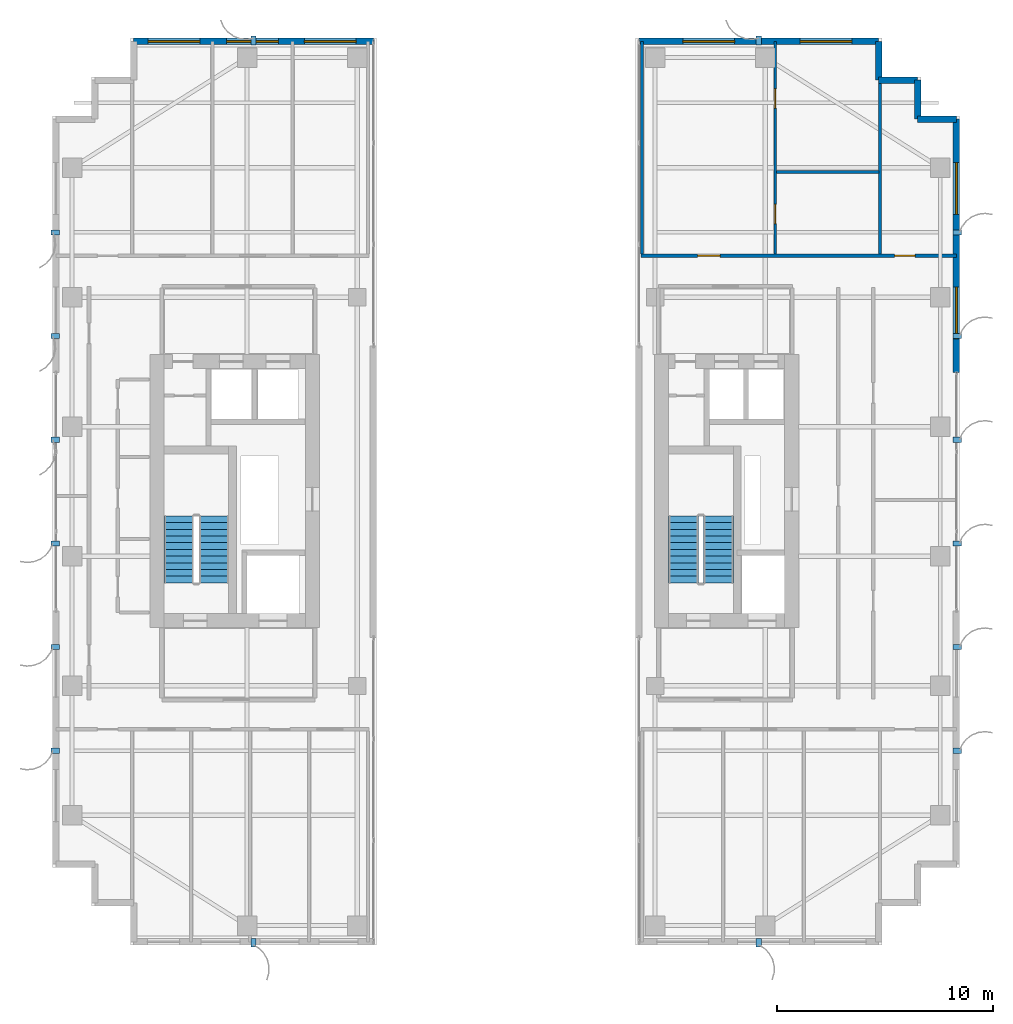
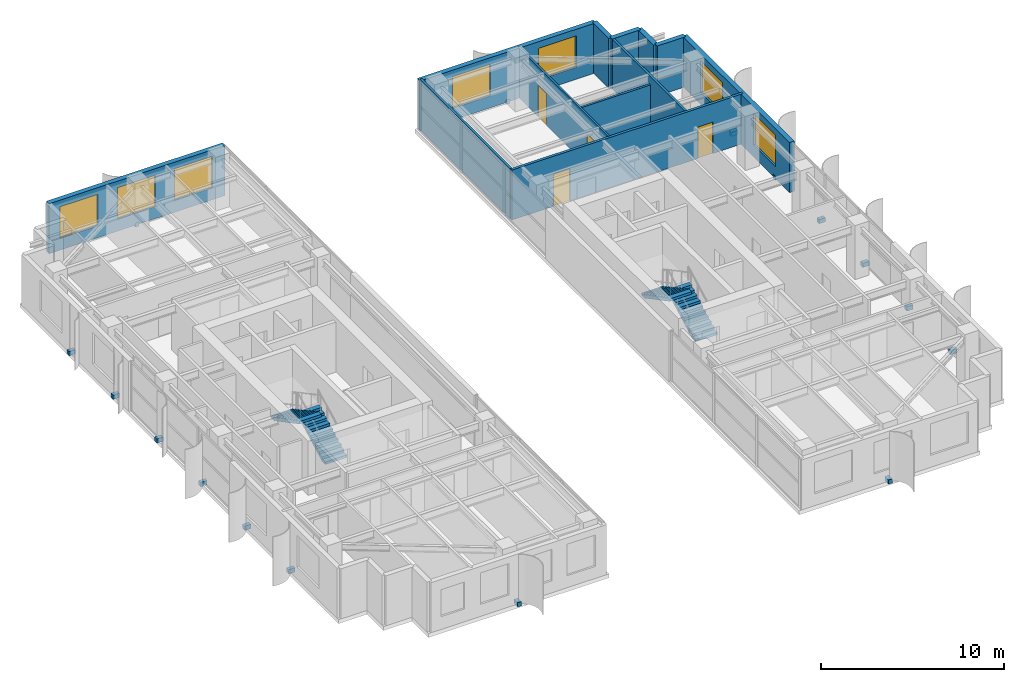
# One storey, part 19 of 22: 16 discrete accessories, 12 walls, 7 windows, 4 doors, 4 stair flights, 11 openings, 2 elements without a shape of their own.
"""IFC4 building model written with IfcOpenShell, lengths in metres."""

from ifc_helpers import new_model, si_unit, direction, frame, frame_2d, origin, origin_2d, place, context, subcontext, project, spatial, polyline, rectangle, outline, extrude, source, transform, mapped, material, layer, layer_set, type_object, element, fill, aggregate, save


model = new_model("IFC4")

# Units and contexts
model_context = context("Model", 3, precision=1e-05, world=origin(), true_north=direction((0.0, 1.0)))
body_context = subcontext(model_context, "Body", "Model", "MODEL_VIEW")
ifc_project = project(units=[si_unit("LENGTHUNIT", "METRE"), si_unit("AREAUNIT", "SQUARE_METRE"), si_unit("VOLUMEUNIT", "CUBIC_METRE"), si_unit("PLANEANGLEUNIT", "RADIAN"), si_unit("MASSUNIT", "GRAM", prefix="KILO")], contexts=[model_context])

# Site, building, storey
site_placement = place(None, origin())
site = spatial("IfcSite", under=ifc_project, at=site_placement, CompositionType="ELEMENT")
building_placement = place(site_placement, origin())
building = spatial("IfcBuilding", under=site, at=building_placement, Name="Khoralis Quay Care Tower", CompositionType="ELEMENT")
storey_placement = place(building_placement, frame((0.0, 0.0, 191.699951171875)))
storey = spatial("IfcBuildingStorey", under=building, at=storey_placement, Name="L50", CompositionType="ELEMENT", Elevation=191.699951171875)

# Wall, openings, doors
ifc_material_1 = material(Name="Gypsum plasterboard on acoustic metal stud")
ifc_layer_1 = layer(ifc_material_1, 0.1650390625)
ifc_layer_set_1 = layer_set([ifc_layer_1], Name="Gypsum plasterboard on acoustic metal stud")
wall_type_1 = type_object("IfcWallType", Name="WL-CORR-165", PredefinedType="PARTITIONING", material=ifc_layer_set_1)
wall_1_placement = place(storey_placement, frame((30.25, 31.919921875, 0.0), z_axis=(0.0, 0.0, 1.0), x_axis=(1.0, 0.0, 0.0)))
wall_1 = element("IfcWall", 1, at=wall_1_placement, inside=storey, type_object=wall_type_1, Name="L50 East Wing North Corridor Wall", PredefinedType="PARTITIONING", context=body_context, shape_type="SweptSolid", body=[
    extrude(rectangle(XDim=14.60498046875, YDim=0.1650390625, at=frame_2d((7.302490234375, 0.0))), origin(), (0.0, 0.0, 1.0), 3.340087890625),
])
opening_1_placement = place(wall_1_placement, frame((2.610595703125, 0.0, 0.0)))
opening_1 = element("IfcOpeningElement", 2, at=opening_1_placement, cuts=wall_1, Name="Opening UD1", PredefinedType="OPENING", context=body_context, shape_type="SweptSolid", body=[
    extrude(rectangle(XDim=1.050048828125, YDim=2.14990234375, at=frame_2d((0.52490234375, 1.074951171875))), frame((0.0, 0.092529296875, 0.0), z_axis=(0.0, -1.0, 0.0), x_axis=(1.0, 0.0, 0.0)), (0.0, 0.0, 1.0), 0.18505859375),
])
opening_2_placement = place(wall_1_placement, frame((11.735107421875, 0.0, 0.0)))
opening_2 = element("IfcOpeningElement", 3, at=opening_2_placement, cuts=wall_1, Name="Opening ID1", PredefinedType="OPENING", context=body_context, shape_type="SweptSolid", body=[
    extrude(rectangle(XDim=0.949951171875, YDim=2.10009765625, at=frame_2d((0.47509765625, 1.050048828125))), frame((0.0, 0.092529296875, 0.0), z_axis=(0.0, -1.0, 0.0), x_axis=(1.0, 0.0, 0.0)), (0.0, 0.0, 1.0), 0.18505859375),
])
ifc_material_2 = material(Name="Acoustic hardwood timber", Category="wood")
door_type_1 = type_object("IfcDoorType", Name="DR-ROOM-950X2100", OperationType="NOTDEFINED", PredefinedType="DOOR", material=ifc_material_2)
shared_shape_1 = source(origin(), body_context, "Body", "SweptSolid", [
    extrude(rectangle(XDim=0.949951171875, YDim=2.10009765625, at=frame_2d((0.47509765625, 1.050048828125))), frame((0.0, 0.02490234375, 0.0), z_axis=(0.0, -1.0, 0.0), x_axis=(1.0, 0.0, 0.0)), (0.0, 0.0, 1.0), 0.050048828125),
])
door_1_placement = place(opening_2_placement, origin())
door_1 = element("IfcDoor", 4, at=door_1_placement, inside=storey, type_object=door_type_1, Name="L50 NE Corner Door", OperationType="SINGLE_SWING_LEFT", OverallHeight=2.10009765625, OverallWidth=0.949951171875, PredefinedType="DOOR", context=body_context, shape_type="MappedRepresentation", body=[
    mapped(shared_shape_1, transform((0.0, 0.0, 0.0), scale=1.0)),
])
fill(opening_2, door_1)
door_type_2 = type_object("IfcDoorType", Name="DR-SUITE-1050X2150", OperationType="NOTDEFINED", PredefinedType="DOOR", material=ifc_material_2)
shared_shape_2 = source(origin(), body_context, "Body", "SweptSolid", [
    extrude(rectangle(XDim=1.050048828125, YDim=2.14990234375, at=frame_2d((0.52490234375, 1.074951171875))), frame((0.0, 0.02490234375, 0.0), z_axis=(0.0, -1.0, 0.0), x_axis=(1.0, 0.0, 0.0)), (0.0, 0.0, 1.0), 0.050048828125),
])
door_2_placement = place(opening_1_placement, origin())
door_2 = element("IfcDoor", 5, at=door_2_placement, inside=storey, type_object=door_type_2, Name="L50 Studio EN0 Entrance", OperationType="SINGLE_SWING_LEFT", OverallHeight=2.14990234375, OverallWidth=1.050048828125, PredefinedType="DOOR", context=body_context, shape_type="MappedRepresentation", body=[
    mapped(shared_shape_2, transform((0.0, 0.0, 0.0), scale=1.0)),
])
fill(opening_1, door_2)

# Wall, openings, windows
ifc_material_3 = material(Name="Precast concrete C45/55", Category="concrete")
ifc_layer_2 = layer(ifc_material_3, 0.300048828125)
ifc_layer_set_2 = layer_set([ifc_layer_2], Name="Precast concrete C45/55")
wall_type_2 = type_object("IfcWallType", Name="WL-EXT-REF-300", PredefinedType="SOLIDWALL", material=ifc_layer_set_2)
wall_2_placement = place(storey_placement, frame((17.85009765625, 41.85009765625, 0.0), z_axis=(0.0, 0.0, 1.0), x_axis=(-1.0, 0.0, 0.0)))
wall_2 = element("IfcWall", 6, at=wall_2_placement, inside=storey, type_object=wall_type_2, Name="L50 External Facade Wall WL-EXT-L50-P1-E2", PredefinedType="SOLIDWALL", context=body_context, shape_type="SweptSolid", body=[
    extrude(rectangle(XDim=11.10009765625, YDim=0.300048828125, at=frame_2d((5.550048828125, 0.0))), origin(), (0.0, 0.0, 1.0), 3.340087890625),
])
opening_3_placement = place(wall_2_placement, frame((0.794921875, 0.0, 0.800048828125)))
opening_3 = element("IfcOpeningElement", 7, at=opening_3_placement, cuts=wall_2, Name="Opening W1", PredefinedType="OPENING", context=body_context, shape_type="SweptSolid", body=[
    extrude(rectangle(XDim=2.39990234375, YDim=2.10009765625, at=frame_2d((1.199951171875, 1.050048828125))), frame((0.0, 0.16015625, 0.0), z_axis=(0.0, -1.0, 0.0), x_axis=(1.0, 0.0, 0.0)), (0.0, 0.0, 1.0), 0.320068359375),
])
opening_4_placement = place(wall_2_placement, frame((4.39990234375, 0.0, 0.800048828125)))
opening_4 = element("IfcOpeningElement", 8, at=opening_4_placement, cuts=wall_2, Name="Opening W1", PredefinedType="OPENING", context=body_context, shape_type="SweptSolid", body=[
    extrude(rectangle(XDim=2.39990234375, YDim=2.10009765625, at=frame_2d((1.199951171875, 1.050048828125))), frame((0.0, 0.16015625, 0.0), z_axis=(0.0, -1.0, 0.0), x_axis=(1.0, 0.0, 0.0)), (0.0, 0.0, 1.0), 0.320068359375),
])
opening_5_placement = place(wall_2_placement, frame((8.030029296875, 0.0, 0.800048828125)))
opening_5 = element("IfcOpeningElement", 9, at=opening_5_placement, cuts=wall_2, Name="Opening W1", PredefinedType="OPENING", context=body_context, shape_type="SweptSolid", body=[
    extrude(rectangle(XDim=2.39990234375, YDim=2.10009765625, at=frame_2d((1.199951171875, 1.050048828125))), frame((0.0, 0.16015625, 0.0), z_axis=(0.0, -1.0, 0.0), x_axis=(1.0, 0.0, 0.0)), (0.0, 0.0, 1.0), 0.320068359375),
])
ifc_material_4 = material(Name="Low-E solar-control double glazing", Category="glass")
window_type = type_object("IfcWindowType", Name="WN-POD-2400X2100", PartitioningType="SINGLE_PANEL", PredefinedType="WINDOW", material=ifc_material_4)
shared_shape_3 = source(origin(), body_context, "Body", "SweptSolid", [
    extrude(rectangle(XDim=2.39990234375, YDim=2.10009765625, at=frame_2d((1.199951171875, 1.050048828125))), frame((0.0, 0.030029296875, 0.0), z_axis=(0.0, -1.0, 0.0), x_axis=(1.0, 0.0, 0.0)), (0.0, 0.0, 1.0), 0.06005859375),
])
window_1_placement = place(opening_3_placement, origin())
window_1 = element("IfcWindow", 10, at=window_1_placement, inside=storey, type_object=window_type, Name="WN-L50-P1-E2 Facade Window 01", OverallHeight=2.10009765625, OverallWidth=2.39990234375, PartitioningType="SINGLE_PANEL", PredefinedType="WINDOW", context=body_context, shape_type="MappedRepresentation", body=[
    mapped(shared_shape_3, transform((0.0, 0.0, 0.0), scale=1.0)),
])
fill(opening_3, window_1)
window_2_placement = place(opening_4_placement, origin())
window_2 = element("IfcWindow", 11, at=window_2_placement, inside=storey, type_object=window_type, Name="WN-L50-P1-E2 Facade Window 02", OverallHeight=2.10009765625, OverallWidth=2.39990234375, PartitioningType="SINGLE_PANEL", PredefinedType="WINDOW", context=body_context, shape_type="MappedRepresentation", body=[
    mapped(shared_shape_3, transform((0.0, 0.0, 0.0), scale=1.0)),
])
fill(opening_4, window_2)
window_3_placement = place(opening_5_placement, origin())
window_3 = element("IfcWindow", 12, at=window_3_placement, inside=storey, type_object=window_type, Name="WN-L50-P1-E2 Facade Window 03", OverallHeight=2.10009765625, OverallWidth=2.39990234375, PartitioningType="SINGLE_PANEL", PredefinedType="WINDOW", context=body_context, shape_type="MappedRepresentation", body=[
    mapped(shared_shape_3, transform((0.0, 0.0, 0.0), scale=1.0)),
])
fill(opening_5, window_3)

wall_3_placement = place(storey_placement, frame((44.85009765625, 26.52001953125, 0.0), z_axis=(0.0, 0.0, 1.0), x_axis=(0.0, 1.0, 0.0)))
wall_3 = element("IfcWall", 13, at=wall_3_placement, inside=storey, type_object=wall_type_2, Name="L50 External Facade Wall WL-EXT-L50-P2-E5B", PredefinedType="SOLIDWALL", context=body_context, shape_type="SweptSolid", body=[
    extrude(rectangle(XDim=11.72998046875, YDim=0.300048828125, at=frame_2d((5.864990234375, 0.0))), origin(), (0.0, 0.0, 1.0), 3.340087890625),
])
opening_6_placement = place(wall_3_placement, frame((1.550048828125, 0.0, 0.800048828125)))
opening_6 = element("IfcOpeningElement", 14, at=opening_6_placement, cuts=wall_3, Name="Opening W1", PredefinedType="OPENING", context=body_context, shape_type="SweptSolid", body=[
    extrude(rectangle(XDim=2.39990234375, YDim=2.10009765625, at=frame_2d((1.199951171875, 1.050048828125))), frame((0.0, 0.16015625, 0.0), z_axis=(0.0, -1.0, 0.0), x_axis=(1.0, 0.0, 0.0)), (0.0, 0.0, 1.0), 0.320068359375),
])
opening_7_placement = place(wall_3_placement, frame((7.31494140625, 0.0, 0.800048828125)))
opening_7 = element("IfcOpeningElement", 15, at=opening_7_placement, cuts=wall_3, Name="Opening W1", PredefinedType="OPENING", context=body_context, shape_type="SweptSolid", body=[
    extrude(rectangle(XDim=2.39990234375, YDim=2.10009765625, at=frame_2d((1.199951171875, 1.050048828125))), frame((0.0, 0.16015625, 0.0), z_axis=(0.0, -1.0, 0.0), x_axis=(1.0, 0.0, 0.0)), (0.0, 0.0, 1.0), 0.320068359375),
])
window_4_placement = place(opening_6_placement, origin())
window_4 = element("IfcWindow", 16, at=window_4_placement, inside=storey, type_object=window_type, Name="WN-L50-P2-E5B Facade Window 01", OverallHeight=2.10009765625, OverallWidth=2.39990234375, PartitioningType="SINGLE_PANEL", PredefinedType="WINDOW", context=body_context, shape_type="MappedRepresentation", body=[
    mapped(shared_shape_3, transform((0.0, 0.0, 0.0), scale=1.0)),
])
fill(opening_6, window_4)
window_5_placement = place(opening_7_placement, origin())
window_5 = element("IfcWindow", 17, at=window_5_placement, inside=storey, type_object=window_type, Name="WN-L50-P2-E5B Facade Window 02", OverallHeight=2.10009765625, OverallWidth=2.39990234375, PartitioningType="SINGLE_PANEL", PredefinedType="WINDOW", context=body_context, shape_type="MappedRepresentation", body=[
    mapped(shared_shape_3, transform((0.0, 0.0, 0.0), scale=1.0)),
])
fill(opening_7, window_5)

# Walls
for number, where, z_axis, x_axis, name in (
    (18, (44.85009765625, 38.25, 0.0), (0.0, 0.0, 1.0), (-1.0, 0.0, 0.0), "L50 External Facade Wall WL-EXT-L50-P2-C6"),
    (19, (43.050048828125, 38.25, 0.0), (0.0, 0.0, 1.0), (0.0, 1.0, 0.0), "L50 External Facade Wall WL-EXT-L50-P2-C7"),
    (20, (43.050048828125, 40.050048828125, 0.0), (0.0, 0.0, 1.0), (-1.0, 0.0, 0.0), "L50 External Facade Wall WL-EXT-L50-P2-C8"),
    (21, (41.25, 40.050048828125, 0.0), (0.0, 0.0, 1.0), (0.0, 1.0, 0.0), "L50 External Facade Wall WL-EXT-L50-P2-C9"),
):
    element("IfcWall", number, at=place(storey_placement, frame(where, z_axis=z_axis, x_axis=x_axis)), inside=storey, type_object=wall_type_2, Name=name, PredefinedType="SOLIDWALL", context=body_context, shape_type="SweptSolid", body=[
        extrude(rectangle(XDim=1.800048828125, YDim=0.300048828125, at=frame_2d((0.89990234375, 0.0))), origin(), (0.0, 0.0, 1.0), 3.340087890625),
    ])

# Wall, openings, windows
wall_4_placement = place(storey_placement, frame((41.25, 41.85009765625, 0.0), z_axis=(0.0, 0.0, 1.0), x_axis=(-1.0, 0.0, 0.0)))
wall_4 = element("IfcWall", 22, at=wall_4_placement, inside=storey, type_object=wall_type_2, Name="L50 External Facade Wall WL-EXT-L50-P2-E10", PredefinedType="SOLIDWALL", context=body_context, shape_type="SweptSolid", body=[
    extrude(rectangle(XDim=11.10009765625, YDim=0.300048828125, at=frame_2d((5.550048828125, 0.0))), origin(), (0.0, 0.0, 1.0), 3.340087890625),
])
opening_8_placement = place(wall_4_placement, frame((1.239501953125, 0.0, 0.800048828125)))
opening_8 = element("IfcOpeningElement", 23, at=opening_8_placement, cuts=wall_4, Name="Opening W1", PredefinedType="OPENING", context=body_context, shape_type="SweptSolid", body=[
    extrude(rectangle(XDim=2.39990234375, YDim=2.10009765625, at=frame_2d((1.199951171875, 1.050048828125))), frame((0.0, 0.16015625, 0.0), z_axis=(0.0, -1.0, 0.0), x_axis=(1.0, 0.0, 0.0)), (0.0, 0.0, 1.0), 0.320068359375),
])
opening_9_placement = place(wall_4_placement, frame((6.66455078125, 0.0, 0.800048828125)))
opening_9 = element("IfcOpeningElement", 24, at=opening_9_placement, cuts=wall_4, Name="Opening W1", PredefinedType="OPENING", context=body_context, shape_type="SweptSolid", body=[
    extrude(rectangle(XDim=2.39990234375, YDim=2.10009765625, at=frame_2d((1.199951171875, 1.050048828125))), frame((0.0, 0.16015625, 0.0), z_axis=(0.0, -1.0, 0.0), x_axis=(1.0, 0.0, 0.0)), (0.0, 0.0, 1.0), 0.320068359375),
])
window_6_placement = place(opening_8_placement, origin())
window_6 = element("IfcWindow", 25, at=window_6_placement, inside=storey, type_object=window_type, Name="WN-L50-P2-E10 Facade Window 01", OverallHeight=2.10009765625, OverallWidth=2.39990234375, PartitioningType="SINGLE_PANEL", PredefinedType="WINDOW", context=body_context, shape_type="MappedRepresentation", body=[
    mapped(shared_shape_3, transform((0.0, 0.0, 0.0), scale=1.0)),
])
fill(opening_8, window_6)
window_7_placement = place(opening_9_placement, origin())
window_7 = element("IfcWindow", 26, at=window_7_placement, inside=storey, type_object=window_type, Name="WN-L50-P2-E10 Facade Window 02", OverallHeight=2.10009765625, OverallWidth=2.39990234375, PartitioningType="SINGLE_PANEL", PredefinedType="WINDOW", context=body_context, shape_type="MappedRepresentation", body=[
    mapped(shared_shape_3, transform((0.0, 0.0, 0.0), scale=1.0)),
])
fill(opening_9, window_7)

# Wall, openings, doors
ifc_layer_3 = layer(ifc_material_1, 0.114990234375)
ifc_layer_set_3 = layer_set([ifc_layer_3], Name="Gypsum plasterboard on acoustic metal stud")
wall_type_3 = type_object("IfcWallType", Name="WL-PART-115", PredefinedType="PARTITIONING", material=ifc_layer_set_3)
wall_5_placement = place(storey_placement, frame((36.470947265625, 31.99755859375, 0.0), z_axis=(0.0, 0.0, 1.0), x_axis=(0.0, 1.0, 0.0)))
wall_5 = element("IfcWall", 27, at=wall_5_placement, inside=storey, type_object=wall_type_3, Name="L50 Studio 0 Internal Wall", PredefinedType="PARTITIONING", context=body_context, shape_type="SweptSolid", body=[
    extrude(rectangle(XDim=9.857421875, YDim=0.114990234375, at=frame_2d((4.9287109375, 0.0))), origin(), (0.0, 0.0, 1.0), 3.340087890625),
])
opening_10_placement = place(wall_5_placement, frame((6.757568359375, 0.0, 0.0)))
opening_10 = element("IfcOpeningElement", 28, at=opening_10_placement, cuts=wall_5, Name="Opening WD1", PredefinedType="OPENING", context=body_context, shape_type="SweptSolid", body=[
    extrude(rectangle(XDim=0.89990234375, YDim=2.10009765625, at=frame_2d((0.449951171875, 1.050048828125))), frame((0.0, 0.0673828125, 0.0), z_axis=(0.0, -1.0, 0.0), x_axis=(1.0, 0.0, 0.0)), (0.0, 0.0, 1.0), 0.135009765625),
])
opening_11_placement = place(wall_5_placement, frame((1.407470703125, 0.0, 0.0)))
opening_11 = element("IfcOpeningElement", 29, at=opening_11_placement, cuts=wall_5, Name="Opening WD1", PredefinedType="OPENING", context=body_context, shape_type="SweptSolid", body=[
    extrude(rectangle(XDim=0.89990234375, YDim=2.10009765625, at=frame_2d((0.449951171875, 1.050048828125))), frame((0.0, 0.0673828125, 0.0), z_axis=(0.0, -1.0, 0.0), x_axis=(1.0, 0.0, 0.0)), (0.0, 0.0, 1.0), 0.135009765625),
])
door_type_3 = type_object("IfcDoorType", Name="DR-BATH-900X2100", OperationType="NOTDEFINED", PredefinedType="DOOR", material=ifc_material_2)
shared_shape_4 = source(origin(), body_context, "Body", "SweptSolid", [
    extrude(rectangle(XDim=0.89990234375, YDim=2.10009765625, at=frame_2d((0.449951171875, 1.050048828125))), frame((0.0, 0.02490234375, 0.0), z_axis=(0.0, -1.0, 0.0), x_axis=(1.0, 0.0, 0.0)), (0.0, 0.0, 1.0), 0.050048828125),
])
door_3_placement = place(opening_10_placement, frame((0.89990234375, 0.0, 0.0), z_axis=(0.0, 0.0, 1.0), x_axis=(-1.0, 0.0, 0.0)))
door_3 = element("IfcDoor", 30, at=door_3_placement, inside=storey, type_object=door_type_3, Name="L50 Studio SKT Door", OperationType="SINGLE_SWING_RIGHT", OverallHeight=2.10009765625, OverallWidth=0.89990234375, PredefinedType="DOOR", context=body_context, shape_type="MappedRepresentation", body=[
    mapped(shared_shape_4, transform((0.0, 0.0, 0.0), scale=1.0)),
])
fill(opening_10, door_3)
door_4_placement = place(opening_11_placement, frame((0.89990234375, 0.0, 0.0), z_axis=(0.0, 0.0, 1.0), x_axis=(-1.0, 0.0, 0.0)))
door_4 = element("IfcDoor", 31, at=door_4_placement, inside=storey, type_object=door_type_3, Name="L50 Studio SBH Door", OperationType="SINGLE_SWING_LEFT", OverallHeight=2.10009765625, OverallWidth=0.89990234375, PredefinedType="DOOR", context=body_context, shape_type="MappedRepresentation", body=[
    mapped(shared_shape_4, transform((0.0, 0.0, 0.0), scale=1.0)),
])
fill(opening_11, door_4)

# Walls
ifc_material_5 = material(Name="Moisture-resistant gypsum and ceramic tile")
ifc_layer_4 = layer(ifc_material_5, 0.280029296875)
ifc_layer_set_4 = layer_set([ifc_layer_4], Name="Moisture-resistant gypsum and ceramic tile")
wall_type_4 = type_object("IfcWallType", Name="WL-PLUMB-280", PredefinedType="PLUMBINGWALL", material=ifc_layer_set_4)
wall_6_placement = place(storey_placement, frame((36.5234375, 35.81005859375, 0.0), z_axis=(0.0, 0.0, 1.0), x_axis=(1.0, 0.0, 0.0)))
element("IfcWall", 32, at=wall_6_placement, inside=storey, type_object=wall_type_4, Name="L50 Studio 0 Wet Split", PredefinedType="PLUMBINGWALL", context=body_context, shape_type="SweptSolid", body=[
    extrude(rectangle(XDim=4.7314453125, YDim=0.139892578125, at=frame_2d((2.36572265625, 0.0))), origin(), (0.0, 0.0, 1.0), 2.80712890625),
])
ifc_layer_5 = layer(ifc_material_1, 0.139892578125)
ifc_layer_set_5 = layer_set([ifc_layer_5], Name="Gypsum plasterboard on acoustic metal stud")
wall_type_5 = type_object("IfcWallType", Name="WL-UNIT-140", PredefinedType="PARTITIONING", material=ifc_layer_set_5)
wall_7_placement = place(storey_placement, frame((30.300048828125, 31.99755859375, 0.0), z_axis=(0.0, 0.0, 1.0), x_axis=(0.0, 1.0, 0.0)))
element("IfcWall", 33, at=wall_7_placement, inside=storey, type_object=wall_type_5, Name="L50 EN Demising Wall 0", PredefinedType="PARTITIONING", context=body_context, shape_type="SweptSolid", body=[
    extrude(rectangle(XDim=9.857421875, YDim=0.139892578125, at=frame_2d((4.9287109375, 0.0))), origin(), (0.0, 0.0, 1.0), 3.340087890625),
])
wall_8_placement = place(storey_placement, frame((41.320068359375, 31.99755859375, 0.0), z_axis=(0.0, 0.0, 1.0), x_axis=(0.0, 1.0, 0.0)))
element("IfcWall", 34, at=wall_8_placement, inside=storey, type_object=wall_type_5, Name="L50 EN Demising Wall 1", PredefinedType="PARTITIONING", context=body_context, shape_type="SweptSolid", body=[
    extrude(rectangle(XDim=8.057373046875, YDim=0.139892578125, at=frame_2d((4.02880859375, 0.0))), origin(), (0.0, 0.0, 1.0), 3.340087890625),
])

# Stair, stair flights
stair_type = type_object("IfcStairType", Name="ST-TWR-DOGLEG-1400", PredefinedType="HALF_TURN_STAIR", material=ifc_material_3)
stair_1_placement = place(storey_placement, origin())
stair_1 = element("IfcStair", 35, at=stair_1_placement, inside=storey, type_object=stair_type, Name="L50 West Core Exit Stair ST-T1", PredefinedType="HALF_TURN_STAIR")
stair_flight_type = type_object("IfcStairFlightType", Name="SF-TWR-1400", PredefinedType="STRAIGHT", material=ifc_material_3)
shared_shape_5 = source(origin(), body_context, "Body", "SweptSolid", [
    extrude(outline(polyline([(0.0, 0.0), (0.0, 0.16357421875), (0.31005859375, 0.16357421875), (0.31005859375, 0.327392578125), (0.6201171875, 0.327392578125), (0.6201171875, 0.490966796875), (0.929931640625, 0.490966796875), (0.929931640625, 0.654541015625), (1.239990234375, 0.654541015625), (1.239990234375, 0.818115234375), (1.550048828125, 0.818115234375), (1.550048828125, 0.98193359375), (1.860107421875, 0.98193359375), (1.860107421875, 1.1455078125), (2.169921875, 1.1455078125), (2.169921875, 1.30908203125), (2.47998046875, 1.30908203125), (2.47998046875, 1.47265625), (2.7900390625, 1.47265625), (2.7900390625, 1.636474609375), (3.10009765625, 1.636474609375), (3.10009765625, 1.800048828125), (3.10009765625, 1.466796875), (0.321044921875, 0.0), (0.0, 0.0)])), frame((0.0, 0.68994140625, 0.0), z_axis=(0.0, -1.0, 0.0), x_axis=(1.0, 0.0, 0.0)), (0.0, 0.0, 1.0), 1.3798828125),
])
stair_flight_1_placement = place(storey_placement, frame((10.4599609375, 16.77001953125, 0.0), z_axis=(0.0, 0.0, 1.0), x_axis=(0.0, 1.0, 0.0)))
stair_flight_1 = element("IfcStairFlight", 36, at=stair_flight_1_placement, type_object=stair_flight_type, Name="ST-T1 flight 1", NumberOfRisers=11, NumberOfTreads=10, PredefinedType="STRAIGHT", RiserHeight=0.163636364, TreadLength=0.31, context=body_context, shape_type="MappedRepresentation", body=[
    mapped(shared_shape_5, transform((0.0, 0.0, 0.0), scale=1.0)),
])
stair_flight_2_placement = place(storey_placement, frame((8.840087890625, 19.8701171875, 1.800048828125), z_axis=(0.0, 0.0, 1.0), x_axis=(0.0, -1.0, 0.0)))
stair_flight_2 = element("IfcStairFlight", 37, at=stair_flight_2_placement, type_object=stair_flight_type, Name="ST-T1 flight 2", NumberOfRisers=11, NumberOfTreads=10, PredefinedType="STRAIGHT", RiserHeight=0.163636364, TreadLength=0.31, context=body_context, shape_type="MappedRepresentation", body=[
    mapped(shared_shape_5, transform((0.0, 0.0, 0.0), scale=1.0)),
])
aggregate(stair_1, [stair_flight_1, stair_flight_2])

stair_2_placement = place(storey_placement, origin())
stair_2 = element("IfcStair", 38, at=stair_2_placement, inside=storey, type_object=stair_type, Name="L50 East Core Exit Stair ST-T2", PredefinedType="HALF_TURN_STAIR")
stair_flight_3_placement = place(storey_placement, frame((33.830078125, 16.77001953125, 0.0), z_axis=(0.0, 0.0, 1.0), x_axis=(0.0, 1.0, 0.0)))
stair_flight_3 = element("IfcStairFlight", 39, at=stair_flight_3_placement, type_object=stair_flight_type, Name="ST-T2 flight 1", NumberOfRisers=11, NumberOfTreads=10, PredefinedType="STRAIGHT", RiserHeight=0.163636364, TreadLength=0.31, context=body_context, shape_type="MappedRepresentation", body=[
    mapped(shared_shape_5, transform((0.0, 0.0, 0.0), scale=1.0)),
])
stair_flight_4_placement = place(storey_placement, frame((32.2099609375, 19.8701171875, 1.800048828125), z_axis=(0.0, 0.0, 1.0), x_axis=(0.0, -1.0, 0.0)))
stair_flight_4 = element("IfcStairFlight", 40, at=stair_flight_4_placement, type_object=stair_flight_type, Name="ST-T2 flight 2", NumberOfRisers=11, NumberOfTreads=10, PredefinedType="STRAIGHT", RiserHeight=0.163636364, TreadLength=0.31, context=body_context, shape_type="MappedRepresentation", body=[
    mapped(shared_shape_5, transform((0.0, 0.0, 0.0), scale=1.0)),
])
aggregate(stair_2, [stair_flight_3, stair_flight_4])

# Discrete accessories
ifc_material_6 = material(Name="Brushed stainless steel", Category="steel")
discrete_accessory_type = type_object("IfcDiscreteAccessoryType", Name="ACC-FIN-BRACKET", PredefinedType="BRACKET", material=ifc_material_6)
shared_shape_6 = source(origin(), body_context, "Body", "SweptSolid", [
    extrude(rectangle(XDim=0.39990234375, YDim=0.239990234375, at=origin_2d()), origin(), (0.0, 0.0, 1.0), 0.280029296875),
])
for number, where, z_axis, x_axis, name in (
    (41, (12.300048828125, 0.110107421875, -0.1201171875), (0.0, 0.0, 1.0), (0.0, -1.0, 0.0), "L50 Solar Fin Bracket P1E0-01"),
    (42, (12.300048828125, 41.889892578125, -0.1201171875), (0.0, 0.0, 1.0), (0.0, 1.0, 0.0), "L50 Solar Fin Bracket P1E2-01"),
    (43, (3.110107421875, 33.0, -0.1201171875), (0.0, 0.0, 1.0), (-1.0, 0.0, 0.0), "L50 Solar Fin Bracket P1E7-01"),
    (44, (3.110107421875, 28.199951171875, -0.1201171875), (0.0, 0.0, 1.0), (-1.0, 0.0, 0.0), "L50 Solar Fin Bracket P1E7-02"),
    (45, (3.110107421875, 23.39990234375, -0.1201171875), (0.0, 0.0, 1.0), (-1.0, 0.0, 0.0), "L50 Solar Fin Bracket P1E7-03"),
    (46, (3.110107421875, 18.60009765625, -0.1201171875), (0.0, 0.0, 1.0), (-1.0, 0.0, 0.0), "L50 Solar Fin Bracket P1E7-04"),
    (47, (3.110107421875, 13.800048828125, -0.1201171875), (0.0, 0.0, 1.0), (-1.0, 0.0, 0.0), "L50 Solar Fin Bracket P1E7-05"),
    (48, (3.110107421875, 9.0, -0.1201171875), (0.0, 0.0, 1.0), (-1.0, 0.0, 0.0), "L50 Solar Fin Bracket P1E7-06"),
    (49, (35.699951171875, 0.110107421875, -0.1201171875), (0.0, 0.0, 1.0), (0.0, -1.0, 0.0), "L50 Solar Fin Bracket P2E0-01"),
    (50, (44.889892578125, 9.0, -0.1201171875), (0.0, 0.0, 1.0), (1.0, 0.0, 0.0), "L50 Solar Fin Bracket P2E5-01"),
    (51, (44.889892578125, 13.800048828125, -0.1201171875), (0.0, 0.0, 1.0), (1.0, 0.0, 0.0), "L50 Solar Fin Bracket P2E5-02"),
    (52, (44.889892578125, 18.60009765625, -0.1201171875), (0.0, 0.0, 1.0), (1.0, 0.0, 0.0), "L50 Solar Fin Bracket P2E5-03"),
    (53, (44.889892578125, 23.39990234375, -0.1201171875), (0.0, 0.0, 1.0), (1.0, 0.0, 0.0), "L50 Solar Fin Bracket P2E5-04"),
    (54, (44.889892578125, 28.199951171875, -0.1201171875), (0.0, 0.0, 1.0), (1.0, 0.0, 0.0), "L50 Solar Fin Bracket P2E5-05"),
    (55, (44.889892578125, 33.0, -0.1201171875), (0.0, 0.0, 1.0), (1.0, 0.0, 0.0), "L50 Solar Fin Bracket P2E5-06"),
    (56, (35.699951171875, 41.889892578125, -0.1201171875), (0.0, 0.0, 1.0), (0.0, 1.0, 0.0), "L50 Solar Fin Bracket P2E10-01"),
):
    element("IfcDiscreteAccessory", number, at=place(storey_placement, frame(where, z_axis=z_axis, x_axis=x_axis)), inside=storey, type_object=discrete_accessory_type, Name=name, PredefinedType="BRACKET", context=body_context, shape_type="MappedRepresentation", body=[
        mapped(shared_shape_6, transform((0.0, 0.0, 0.0), scale=1.0)),
    ])

save(model, "model.ifc")
